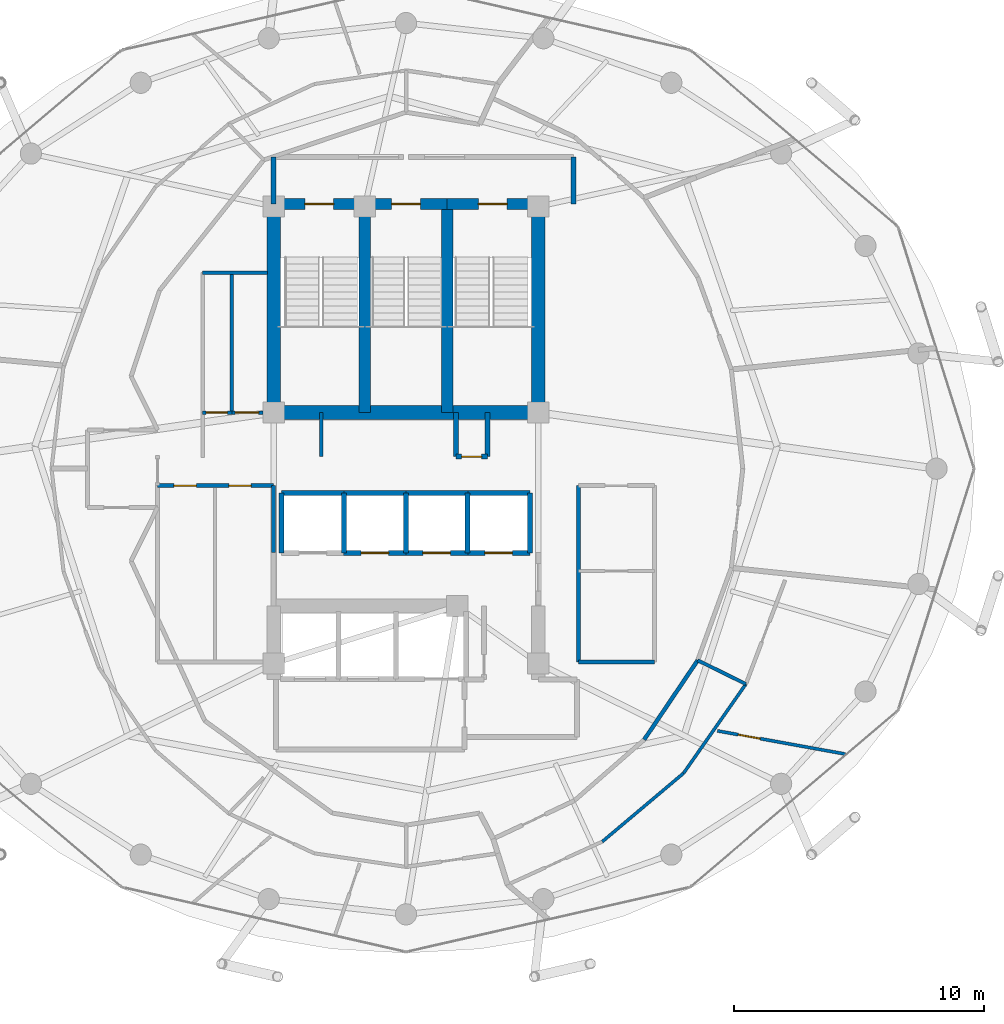
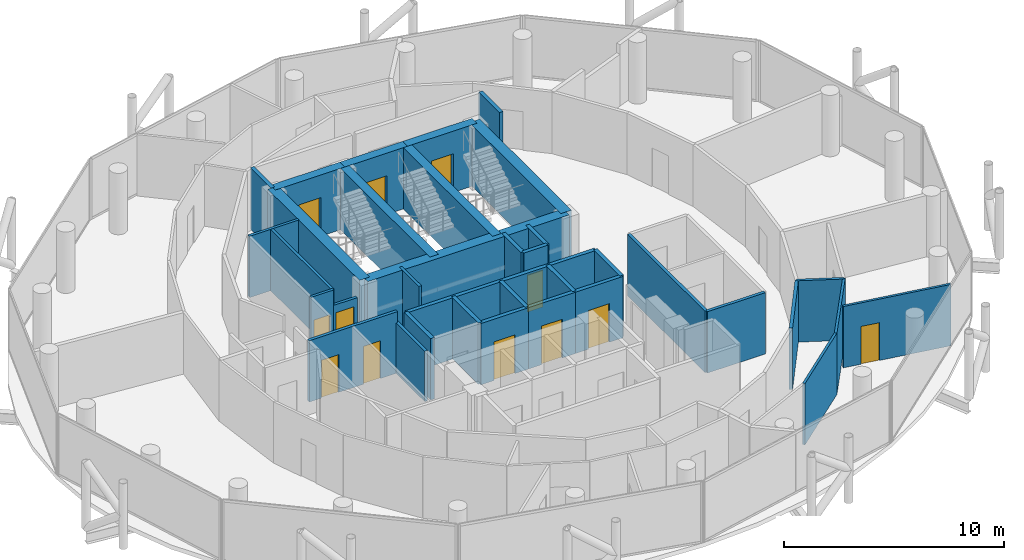
# One storey, part 24 of 27: 39 walls, 12 doors, 12 openings.
"""IFC4 building model written with IfcOpenShell, lengths in metres."""

from ifc_helpers import new_model, si_unit, direction, frame, frame_2d, origin, place, context, subcontext, project, spatial, rectangle, extrude, material, layer, layer_set, type_object, element, fill, save


model = new_model("IFC4")

# Units and contexts
model_context = context("Model", 3, precision=1e-05, world=origin(), true_north=direction((0.0, 1.0)))
body_context = subcontext(model_context, "Body", "Model", "MODEL_VIEW")
ifc_project = project(units=[si_unit("LENGTHUNIT", "METRE"), si_unit("AREAUNIT", "SQUARE_METRE"), si_unit("VOLUMEUNIT", "CUBIC_METRE"), si_unit("PLANEANGLEUNIT", "RADIAN"), si_unit("MASSUNIT", "GRAM", prefix="KILO")], contexts=[model_context])

# Site, building, storey
site_placement = place(None, origin())
site = spatial("IfcSite", under=ifc_project, at=site_placement, CompositionType="ELEMENT")
building_placement = place(site_placement, origin())
building = spatial("IfcBuilding", under=site, at=building_placement, Name="Nuhasar Tower", CompositionType="ELEMENT")
storey_placement = place(building_placement, frame((0.0, 0.0, 248.300048828125)))
storey = spatial("IfcBuildingStorey", under=building, at=storey_placement, Name="L61", CompositionType="ELEMENT", Elevation=248.300048828125)

# Wall, opening, door
ifc_material_1 = material(Name="Concrete C50/60", Category="concrete")
ifc_layer_1 = layer(ifc_material_1, 0.449951171875)
ifc_layer_set_1 = layer_set([ifc_layer_1], Name="Concrete C50/60")
wall_type_1 = type_object("IfcWallType", Name="WL-CORE-450", PredefinedType="SHEAR", material=ifc_layer_set_1)
wall_1_placement = place(storey_placement, frame((37.35009765625, 37.39990234375, 0.0), z_axis=(0.0, 0.0, 1.0), x_axis=(-1.0, 0.0, 0.0)))
wall_1 = element("IfcWall", 1, at=wall_1_placement, inside=storey, type_object=wall_type_1, Name="L61 Stairwell Shear Wall ST01-N", PredefinedType="SHEAR", context=body_context, shape_type="SweptSolid", body=[
    extrude(rectangle(XDim=3.650146484375, YDim=0.449951171875, at=frame_2d((1.8251953125, 0.0))), origin(), (0.0, 0.0, 1.0), 3.409912109375),
])
opening_1_placement = place(wall_1_placement, frame((1.25, 0.0, 0.0)))
opening_1 = element("IfcOpeningElement", 2, at=opening_1_placement, cuts=wall_1, Name="Opening DS-01", PredefinedType="OPENING", context=body_context, shape_type="SweptSolid", body=[
    extrude(rectangle(XDim=1.14990234375, YDim=2.14990234375, at=frame_2d((0.574951171875, 1.074951171875))), frame((0.0, 0.23486328125, 0.0), z_axis=(0.0, -1.0, 0.0), x_axis=(1.0, 0.0, 0.0)), (0.0, 0.0, 1.0), 0.469970703125),
])
ifc_material_2 = material(Name="Steel S355", Category="steel")
door_type_1 = type_object("IfcDoorType", Name="DR-STAIR-FD120-1150", OperationType="NOTDEFINED", PredefinedType="DOOR", material=ifc_material_2)
door_1_placement = place(opening_1_placement, origin())
door_1 = element("IfcDoor", 3, at=door_1_placement, inside=storey, type_object=door_type_1, Name="L61 Exit Stair ST-01 Door", OperationType="SINGLE_SWING_RIGHT", OverallHeight=2.14990234375, OverallWidth=1.14990234375, PredefinedType="DOOR", context=body_context, shape_type="SweptSolid", body=[
    extrude(rectangle(XDim=1.14990234375, YDim=2.14990234375, at=frame_2d((0.574951171875, 1.074951171875))), frame((0.0, 0.02490234375, 0.0), z_axis=(0.0, -1.0, 0.0), x_axis=(1.0, 0.0, 0.0)), (0.0, 0.0, 1.0), 0.050048828125),
])
fill(opening_1, door_1)

# Wall
wall_2_placement = place(storey_placement, frame((37.35009765625, 29.050048828125, 0.0), z_axis=(0.0, 0.0, 1.0), x_axis=(0.0, 1.0, 0.0)))
element("IfcWall", 4, at=wall_2_placement, inside=storey, type_object=wall_type_1, Name="L61 Stairwell Shear Wall ST01-E", PredefinedType="SHEAR", context=body_context, shape_type="SweptSolid", body=[
    extrude(rectangle(XDim=8.349853515625, YDim=0.449951171875, at=frame_2d((4.1748046875, 0.0))), origin(), (0.0, 0.0, 1.0), 3.409912109375),
])

# Wall, opening, door
wall_3_placement = place(storey_placement, frame((40.64990234375, 37.39990234375, 0.0), z_axis=(0.0, 0.0, 1.0), x_axis=(-1.0, 0.0, 0.0)))
wall_3 = element("IfcWall", 5, at=wall_3_placement, inside=storey, type_object=wall_type_1, Name="L61 Stairwell Shear Wall ST03-N", PredefinedType="SHEAR", context=body_context, shape_type="SweptSolid", body=[
    extrude(rectangle(XDim=3.2998046875, YDim=0.449951171875, at=frame_2d((1.64990234375, 0.0))), origin(), (0.0, 0.0, 1.0), 3.409912109375),
])
opening_2_placement = place(wall_3_placement, frame((1.074951171875, 0.0, 0.0)))
opening_2 = element("IfcOpeningElement", 6, at=opening_2_placement, cuts=wall_3, Name="Opening DS-01", PredefinedType="OPENING", context=body_context, shape_type="SweptSolid", body=[
    extrude(rectangle(XDim=1.14990234375, YDim=2.14990234375, at=frame_2d((0.574951171875, 1.074951171875))), frame((0.0, 0.23486328125, 0.0), z_axis=(0.0, -1.0, 0.0), x_axis=(1.0, 0.0, 0.0)), (0.0, 0.0, 1.0), 0.469970703125),
])
door_2_placement = place(opening_2_placement, origin())
door_2 = element("IfcDoor", 7, at=door_2_placement, inside=storey, type_object=door_type_1, Name="L61 Exit Stair ST-03 Door", OperationType="SINGLE_SWING_RIGHT", OverallHeight=2.14990234375, OverallWidth=1.14990234375, PredefinedType="DOOR", context=body_context, shape_type="SweptSolid", body=[
    extrude(rectangle(XDim=1.14990234375, YDim=2.14990234375, at=frame_2d((0.574951171875, 1.074951171875))), frame((0.0, 0.02490234375, 0.0), z_axis=(0.0, -1.0, 0.0), x_axis=(1.0, 0.0, 0.0)), (0.0, 0.0, 1.0), 0.050048828125),
])
fill(opening_2, door_2)

# Wall
wall_4_placement = place(storey_placement, frame((40.64990234375, 29.050048828125, 0.0), z_axis=(0.0, 0.0, 1.0), x_axis=(0.0, 1.0, 0.0)))
element("IfcWall", 8, at=wall_4_placement, inside=storey, type_object=wall_type_1, Name="L61 Stairwell Shear Wall ST03-E", PredefinedType="SHEAR", context=body_context, shape_type="SweptSolid", body=[
    extrude(rectangle(XDim=8.349853515625, YDim=0.449951171875, at=frame_2d((4.1748046875, 0.0))), origin(), (0.0, 0.0, 1.0), 3.409912109375),
])

# Wall, opening, door
wall_5_placement = place(storey_placement, frame((44.300048828125, 37.39990234375, 0.0), z_axis=(0.0, 0.0, 1.0), x_axis=(-1.0, 0.0, 0.0)))
wall_5 = element("IfcWall", 9, at=wall_5_placement, inside=storey, type_object=wall_type_1, Name="L61 Stairwell Shear Wall ST02-N", PredefinedType="SHEAR", context=body_context, shape_type="SweptSolid", body=[
    extrude(rectangle(XDim=3.650146484375, YDim=0.449951171875, at=frame_2d((1.8251953125, 0.0))), origin(), (0.0, 0.0, 1.0), 3.409912109375),
])
opening_3_placement = place(wall_5_placement, frame((1.25, 0.0, 0.0)))
opening_3 = element("IfcOpeningElement", 10, at=opening_3_placement, cuts=wall_5, Name="Opening DS-01", PredefinedType="OPENING", context=body_context, shape_type="SweptSolid", body=[
    extrude(rectangle(XDim=1.14990234375, YDim=2.14990234375, at=frame_2d((0.574951171875, 1.074951171875))), frame((0.0, 0.23486328125, 0.0), z_axis=(0.0, -1.0, 0.0), x_axis=(1.0, 0.0, 0.0)), (0.0, 0.0, 1.0), 0.469970703125),
])
door_3_placement = place(opening_3_placement, origin())
door_3 = element("IfcDoor", 11, at=door_3_placement, inside=storey, type_object=door_type_1, Name="L61 Exit Stair ST-02 Door", OperationType="SINGLE_SWING_LEFT", OverallHeight=2.14990234375, OverallWidth=1.14990234375, PredefinedType="DOOR", context=body_context, shape_type="SweptSolid", body=[
    extrude(rectangle(XDim=1.14990234375, YDim=2.14990234375, at=frame_2d((0.574951171875, 1.074951171875))), frame((0.0, 0.02490234375, 0.0), z_axis=(0.0, -1.0, 0.0), x_axis=(1.0, 0.0, 0.0)), (0.0, 0.0, 1.0), 0.050048828125),
])
fill(opening_3, door_3)

# Walls
ifc_material_3 = material(Name="Concrete C55/67", Category="concrete")
ifc_layer_2 = layer(ifc_material_3, 0.550048828125)
ifc_layer_set_2 = layer_set([ifc_layer_2], Name="Concrete C55/67")
wall_type_2 = type_object("IfcWallType", Name="WL-CORE-550", PredefinedType="SHEAR", material=ifc_layer_set_2)
for number, where, z_axis, x_axis, name in (
    (12, (33.699951171875, 29.050048828125, 0.0), (0.0, 0.0, 1.0), (0.0, 1.0, 0.0), "L61 Core Shear Wall CW-NW CW-550"),
    (13, (44.300048828125, 29.050048828125, 0.0), (0.0, 0.0, 1.0), (0.0, 1.0, 0.0), "L61 Core Shear Wall CW-NE CW-550"),
):
    element("IfcWall", number, at=place(storey_placement, frame(where, z_axis=z_axis, x_axis=x_axis)), inside=storey, type_object=wall_type_2, Name=name, PredefinedType="SHEAR", context=body_context, shape_type="SweptSolid", body=[
        extrude(rectangle(XDim=8.349853515625, YDim=0.550048828125, at=frame_2d((4.1748046875, 0.0))), origin(), (0.0, 0.0, 1.0), 3.409912109375),
    ])
wall_6_placement = place(storey_placement, frame((33.699951171875, 29.050048828125, 0.0), z_axis=(0.0, 0.0, 1.0), x_axis=(1.0, 0.0, 0.0)))
element("IfcWall", 14, at=wall_6_placement, inside=storey, type_object=wall_type_2, Name="L61 Core Shear Wall CW-N1 CW-550", PredefinedType="SHEAR", context=body_context, shape_type="SweptSolid", body=[
    extrude(rectangle(XDim=10.60009765625, YDim=0.550048828125, at=frame_2d((5.300048828125, 0.0))), origin(), (0.0, 0.0, 1.0), 3.409912109375),
])
ifc_material_4 = material(Name="Gypsum Board", Category="gypsum")
ifc_layer_3 = layer(ifc_material_4, 0.159912109375)
ifc_layer_set_3 = layer_set([ifc_layer_3], Name="Gypsum Board")
wall_type_3 = type_object("IfcWallType", Name="WL-CORR-160", PredefinedType="PARTITIONING", material=ifc_layer_set_3)
wall_7_placement = place(storey_placement, frame((33.699951171875, 23.449951171875, 0.0), z_axis=(0.0, 0.0, 1.0), x_axis=(0.0, 1.0, 0.0)))
element("IfcWall", 15, at=wall_7_placement, inside=storey, type_object=wall_type_3, Name="L61 Interior Partition RECL-B1-E", PredefinedType="PARTITIONING", context=body_context, shape_type="SweptSolid", body=[
    extrude(rectangle(XDim=2.670166015625, YDim=0.159912109375, at=frame_2d((1.3349609375, 0.0))), origin(), (0.0, 0.0, 1.0), 2.794921875),
])

# Wall, openings, doors
wall_8_placement = place(storey_placement, frame((33.699951171875, 26.1201171875, 0.0), z_axis=(0.0, 0.0, 1.0), x_axis=(-1.0, 0.0, 0.0)))
wall_8 = element("IfcWall", 16, at=wall_8_placement, inside=storey, type_object=wall_type_3, Name="L61 Interior Partition RECL-B1-N", PredefinedType="PARTITIONING", context=body_context, shape_type="SweptSolid", body=[
    extrude(rectangle(XDim=4.64990234375, YDim=0.159912109375, at=frame_2d((2.324951171875, 0.0))), origin(), (0.0, 0.0, 1.0), 3.409912109375),
])
opening_4_placement = place(wall_8_placement, frame((3.10009765625, 0.0, 0.0)))
opening_4 = element("IfcOpeningElement", 17, at=opening_4_placement, cuts=wall_8, Name="Opening DR-01", PredefinedType="OPENING", context=body_context, shape_type="SweptSolid", body=[
    extrude(rectangle(XDim=0.89990234375, YDim=2.10009765625, at=frame_2d((0.449951171875, 1.050048828125))), frame((0.0, 0.08984375, 0.0), z_axis=(0.0, -1.0, 0.0), x_axis=(1.0, 0.0, 0.0)), (0.0, 0.0, 1.0), 0.179931640625),
])
opening_5_placement = place(wall_8_placement, frame((0.89990234375, 0.0, 0.0)))
opening_5 = element("IfcOpeningElement", 18, at=opening_5_placement, cuts=wall_8, Name="Opening DR-01", PredefinedType="OPENING", context=body_context, shape_type="SweptSolid", body=[
    extrude(rectangle(XDim=0.89990234375, YDim=2.10009765625, at=frame_2d((0.449951171875, 1.050048828125))), frame((0.0, 0.08984375, 0.0), z_axis=(0.0, -1.0, 0.0), x_axis=(1.0, 0.0, 0.0)), (0.0, 0.0, 1.0), 0.179931640625),
])
ifc_material_5 = material(Name="Timber Oak", Category="wood")
door_type_2 = type_object("IfcDoorType", Name="DR-ROOM-900", OperationType="NOTDEFINED", PredefinedType="DOOR", material=ifc_material_5)
door_4_placement = place(opening_4_placement, origin())
door_4 = element("IfcDoor", 19, at=door_4_placement, inside=storey, type_object=door_type_2, Name="L61 Housekeeping Door", OperationType="SINGLE_SWING_RIGHT", OverallHeight=2.10009765625, OverallWidth=0.89990234375, PredefinedType="DOOR", context=body_context, shape_type="SweptSolid", body=[
    extrude(rectangle(XDim=0.89990234375, YDim=2.10009765625, at=frame_2d((0.449951171875, 1.050048828125))), frame((0.0, 0.02490234375, 0.0), z_axis=(0.0, -1.0, 0.0), x_axis=(1.0, 0.0, 0.0)), (0.0, 0.0, 1.0), 0.050048828125),
])
fill(opening_4, door_4)
door_5_placement = place(opening_5_placement, origin())
door_5 = element("IfcDoor", 20, at=door_5_placement, inside=storey, type_object=door_type_2, Name="L61 Valet Pantry Door", OperationType="SINGLE_SWING_LEFT", OverallHeight=2.10009765625, OverallWidth=0.89990234375, PredefinedType="DOOR", context=body_context, shape_type="SweptSolid", body=[
    extrude(rectangle(XDim=0.89990234375, YDim=2.10009765625, at=frame_2d((0.449951171875, 1.050048828125))), frame((0.0, 0.02490234375, 0.0), z_axis=(0.0, -1.0, 0.0), x_axis=(1.0, 0.0, 0.0)), (0.0, 0.0, 1.0), 0.050048828125),
])
fill(opening_5, door_5)

# Walls
wall_9_placement = place(storey_placement, frame((45.89990234375, 19.050048828125, 0.0), z_axis=(0.0, 0.0, 1.0), x_axis=(1.0, 0.0, 0.0)))
element("IfcWall", 21, at=wall_9_placement, inside=storey, type_object=wall_type_3, Name="L61 Interior Partition RECL-B2-S", PredefinedType="PARTITIONING", context=body_context, shape_type="SweptSolid", body=[
    extrude(rectangle(XDim=3.050048828125, YDim=0.159912109375, at=frame_2d((1.52490234375, 0.0))), origin(), (0.0, 0.0, 1.0), 3.409912109375),
])
wall_10_placement = place(storey_placement, frame((45.89990234375, 19.050048828125, 0.0), z_axis=(0.0, 0.0, 1.0), x_axis=(0.0, 1.0, 0.0)))
element("IfcWall", 22, at=wall_10_placement, inside=storey, type_object=wall_type_3, Name="L61 Interior Partition RECL-B2-W", PredefinedType="PARTITIONING", context=body_context, shape_type="SweptSolid", body=[
    extrude(rectangle(XDim=7.070068359375, YDim=0.159912109375, at=frame_2d((3.53515625, 0.0))), origin(), (0.0, 0.0, 1.0), 3.409912109375),
])
wall_11_placement = place(storey_placement, frame((48.5390625, 15.946044921875, 0.0), z_axis=(0.0, 0.0, 1.0), x_axis=(0.55915897058, 0.829060459568, 0.0)))
element("IfcWall", 23, at=wall_11_placement, inside=storey, type_object=wall_type_3, Name="L61 Interior Partition CORR-42", PredefinedType="PARTITIONING", context=body_context, shape_type="SweptSolid", body=[
    extrude(rectangle(XDim=3.83447265625, YDim=0.159912109375, at=frame_2d((1.917236328125, 0.0))), origin(), (0.0, 0.0, 1.0), 3.409912109375),
])
ifc_material_6 = material(Name="Concrete C45/55", Category="concrete")
ifc_layer_4 = layer(ifc_material_6, 0.199951171875)
ifc_layer_set_4 = layer_set([ifc_layer_4], Name="Concrete C45/55")
wall_type_4 = type_object("IfcWallType", Name="WL-LOBBY-200", PredefinedType="SOLIDWALL", material=ifc_layer_set_4)
for number, where, z_axis, x_axis, name in (
    (24, (33.699951171875, 37.39990234375, 0.0), (0.0, 0.0, 1.0), (0.0, 1.0, 0.0), "L61 Interior Partition NSL-W"),
    (25, (45.699951171875, 37.39990234375, 0.0), (0.0, 0.0, 1.0), (0.0, 1.0, 0.0), "L61 Interior Partition NSL-E"),
):
    element("IfcWall", number, at=place(storey_placement, frame(where, z_axis=z_axis, x_axis=x_axis)), inside=storey, type_object=wall_type_4, Name=name, PredefinedType="SOLIDWALL", context=body_context, shape_type="SweptSolid", body=[
        extrude(rectangle(XDim=1.880126953125, YDim=0.199951171875, at=frame_2d((0.93994140625, 0.0))), origin(), (0.0, 0.0, 1.0), 3.409912109375),
    ])
ifc_layer_5 = layer(ifc_material_4, 0.125)
ifc_layer_set_5 = layer_set([ifc_layer_5], Name="Gypsum Board")
wall_type_5 = type_object("IfcWallType", Name="WL-PART-125", PredefinedType="PARTITIONING", material=ifc_layer_set_5)
wall_12_placement = place(storey_placement, frame((46.860107421875, 11.861083984375, 0.0), z_axis=(0.0, 0.0, 1.0), x_axis=(0.765004906077, 0.644024451149, 0.0)))
element("IfcWall", 26, at=wall_12_placement, inside=storey, type_object=wall_type_5, Name="L61 Interior Partition UMID-01-A-40", PredefinedType="PARTITIONING", context=body_context, shape_type="SweptSolid", body=[
    extrude(rectangle(XDim=4.256103515625, YDim=0.125, at=frame_2d((2.1279296875, 0.0))), origin(), (0.0, 0.0, 1.0), 3.409912109375),
])
wall_13_placement = place(storey_placement, frame((50.115966796875, 14.60205078125, 0.0), z_axis=(0.0, 0.0, 1.0), x_axis=(0.572992451041, 0.819560645132, 0.0)))
element("IfcWall", 27, at=wall_13_placement, inside=storey, type_object=wall_type_5, Name="L61 Interior Partition UMID-01-A-42", PredefinedType="PARTITIONING", context=body_context, shape_type="SweptSolid", body=[
    extrude(rectangle(XDim=4.359619140625, YDim=0.125, at=frame_2d((2.1796875, 0.0))), origin(), (0.0, 0.0, 1.0), 3.409912109375),
])

# Wall, opening, door
wall_14_placement = place(storey_placement, frame((51.471923828125, 16.299072265625, 0.0), z_axis=(0.0, 0.0, 1.0), x_axis=(0.983950739816, -0.178440302665, 0.0)))
wall_14 = element("IfcWall", 28, at=wall_14_placement, inside=storey, type_object=wall_type_5, Name="L61 Interior Partition UOUT-01-B1", PredefinedType="PARTITIONING", context=body_context, shape_type="SweptSolid", body=[
    extrude(rectangle(XDim=5.212890625, YDim=0.125, at=frame_2d((2.6064453125, 0.0))), origin(), (0.0, 0.0, 1.0), 3.409912109375),
])
opening_6_placement = place(wall_14_placement, frame((0.85009765625, 0.0, 0.0)))
opening_6 = element("IfcOpeningElement", 29, at=opening_6_placement, cuts=wall_14, Name="Opening DR-01", PredefinedType="OPENING", context=body_context, shape_type="SweptSolid", body=[
    extrude(rectangle(XDim=0.89990234375, YDim=2.10009765625, at=frame_2d((0.449951171875, 1.050048828125))), frame((0.0, 0.072509765625, 0.0), z_axis=(0.0, -1.0, 0.0), x_axis=(1.0, 0.0, 0.0)), (0.0, 0.0, 1.0), 0.14501953125),
])
door_6_placement = place(opening_6_placement, origin())
door_6 = element("IfcDoor", 30, at=door_6_placement, inside=storey, type_object=door_type_2, Name="L61 U01 Bedroom Door", OperationType="SINGLE_SWING_LEFT", OverallHeight=2.10009765625, OverallWidth=0.89990234375, PredefinedType="DOOR", context=body_context, shape_type="SweptSolid", body=[
    extrude(rectangle(XDim=0.89990234375, YDim=2.10009765625, at=frame_2d((0.449951171875, 1.050048828125))), frame((0.0, 0.02490234375, 0.0), z_axis=(0.0, -1.0, 0.0), x_axis=(1.0, 0.0, 0.0)), (0.0, 0.0, 1.0), 0.050048828125),
])
fill(opening_6, door_6)

# Walls
ifc_layer_6 = layer(ifc_material_6, 0.199951171875)
ifc_layer_set_6 = layer_set([ifc_layer_6], Name="Concrete C45/55")
wall_type_6 = type_object("IfcWallType", Name="WL-SHAFT-200", PredefinedType="SOLIDWALL", material=ifc_layer_set_6)
for number, where, z_axis, x_axis, name in (
    (31, (41.0, 27.280029296875, 0.0), (0.0, 0.0, 1.0), (0.0, 1.0, 0.0), "L61 Interior Partition RSRN-W"),
    (32, (42.260009765625, 27.280029296875, 0.0), (0.0, 0.0, 1.0), (0.0, 1.0, 0.0), "L61 Interior Partition RSRN-E"),
):
    element("IfcWall", number, at=place(storey_placement, frame(where, z_axis=z_axis, x_axis=x_axis)), inside=storey, type_object=wall_type_6, Name=name, PredefinedType="SOLIDWALL", context=body_context, shape_type="SweptSolid", body=[
        extrude(rectangle(XDim=1.77001953125, YDim=0.199951171875, at=frame_2d((0.885009765625, 0.0))), origin(), (0.0, 0.0, 1.0), 3.409912109375),
    ])

# Wall, opening, door
wall_15_placement = place(storey_placement, frame((41.0, 27.280029296875, 0.0), z_axis=(0.0, 0.0, 1.0), x_axis=(1.0, 0.0, 0.0)))
wall_15 = element("IfcWall", 33, at=wall_15_placement, inside=storey, type_object=wall_type_6, Name="L61 Interior Partition RSRN-S", PredefinedType="SOLIDWALL", context=body_context, shape_type="SweptSolid", body=[
    extrude(rectangle(XDim=1.260009765625, YDim=0.199951171875, at=frame_2d((0.6298828125, 0.0))), origin(), (0.0, 0.0, 1.0), 3.409912109375),
])
opening_7_placement = place(wall_15_placement, frame((0.22998046875, 0.0, 0.0)))
opening_7 = element("IfcOpeningElement", 34, at=opening_7_placement, cuts=wall_15, Name="Opening DM-01", PredefinedType="OPENING", context=body_context, shape_type="SweptSolid", body=[
    extrude(rectangle(XDim=0.800048828125, YDim=2.050048828125, at=frame_2d((0.39990234375, 1.02490234375))), frame((0.0, 0.10986328125, 0.0), z_axis=(0.0, -1.0, 0.0), x_axis=(1.0, 0.0, 0.0)), (0.0, 0.0, 1.0), 0.219970703125),
])
door_type_3 = type_object("IfcDoorType", Name="DR-RISER-FD60-800", OperationType="NOTDEFINED", PredefinedType="DOOR", material=ifc_material_2)
door_7_placement = place(opening_7_placement, origin())
door_7 = element("IfcDoor", 35, at=door_7_placement, inside=storey, type_object=door_type_3, Name="L61 North Smoke Riser Door", OperationType="SINGLE_SWING_RIGHT", OverallHeight=2.050048828125, OverallWidth=0.800048828125, PredefinedType="DOOR", context=body_context, shape_type="SweptSolid", body=[
    extrude(rectangle(XDim=0.800048828125, YDim=2.050048828125, at=frame_2d((0.39990234375, 1.02490234375))), frame((0.0, 0.02490234375, 0.0), z_axis=(0.0, -1.0, 0.0), x_axis=(1.0, 0.0, 0.0)), (0.0, 0.0, 1.0), 0.050048828125),
])
fill(opening_7, door_7)

# Walls
wall_16_placement = place(storey_placement, frame((34.02001953125, 25.830078125, 0.0), z_axis=(0.0, 0.0, 1.0), x_axis=(1.0, 0.0, 0.0)))
element("IfcWall", 36, at=wall_16_placement, inside=storey, type_object=wall_type_6, Name="L61 Interior Partition SHF-PL-H01-N", PredefinedType="SOLIDWALL", context=body_context, shape_type="SweptSolid", body=[
    extrude(rectangle(XDim=2.5, YDim=0.199951171875, at=frame_2d((1.25, 0.0))), origin(), (0.0, 0.0, 1.0), 3.409912109375),
])
for number, where, z_axis, x_axis, name in (
    (37, (34.02001953125, 23.419921875, 0.0), (0.0, 0.0, 1.0), (0.0, 1.0, 0.0), "L61 Interior Partition SHF-PL-H01-W"),
    (38, (36.510009765625, 23.419921875, 0.0), (0.0, 0.0, 1.0), (0.0, 1.0, 0.0), "L61 Interior Partition SHF-PL-H01-E"),
):
    element("IfcWall", number, at=place(storey_placement, frame(where, z_axis=z_axis, x_axis=x_axis)), inside=storey, type_object=wall_type_6, Name=name, PredefinedType="SOLIDWALL", context=body_context, shape_type="SweptSolid", body=[
        extrude(rectangle(XDim=2.41015625, YDim=0.199951171875, at=frame_2d((1.205078125, 0.0))), origin(), (0.0, 0.0, 1.0), 3.409912109375),
    ])

# Wall, opening, door
wall_17_placement = place(storey_placement, frame((36.5, 23.419921875, 0.0), z_axis=(0.0, 0.0, 1.0), x_axis=(1.0, 0.0, 0.0)))
wall_17 = element("IfcWall", 39, at=wall_17_placement, inside=storey, type_object=wall_type_6, Name="L61 Interior Partition SHF-PL-H02-S", PredefinedType="SOLIDWALL", context=body_context, shape_type="SweptSolid", body=[
    extrude(rectangle(XDim=2.5, YDim=0.199951171875, at=frame_2d((1.25, 0.0))), origin(), (0.0, 0.0, 1.0), 3.409912109375),
])
opening_8_placement = place(wall_17_placement, frame((0.699951171875, 0.0, 0.0)))
opening_8 = element("IfcOpeningElement", 40, at=opening_8_placement, cuts=wall_17, Name="Opening LD-H02", PredefinedType="OPENING", context=body_context, shape_type="SweptSolid", body=[
    extrude(rectangle(XDim=1.10009765625, YDim=2.14990234375, at=frame_2d((0.550048828125, 1.074951171875))), frame((0.0, 0.10986328125, 0.0), z_axis=(0.0, -1.0, 0.0), x_axis=(1.0, 0.0, 0.0)), (0.0, 0.0, 1.0), 0.219970703125),
])
ifc_material_7 = material(Name="Stainless Steel 316L", Category="steel")
door_type_4 = type_object("IfcDoorType", Name="LD-PAX-1100", OperationType="DOUBLE_DOOR_SLIDING", PredefinedType="DOOR", material=ifc_material_7)
door_8_placement = place(opening_8_placement, origin())
door_8 = element("IfcDoor", 41, at=door_8_placement, inside=storey, type_object=door_type_4, Name="L61 Lift Landing Door PL-H02", OperationType="DOUBLE_DOOR_SLIDING", OverallHeight=2.14990234375, OverallWidth=1.10009765625, PredefinedType="DOOR", context=body_context, shape_type="SweptSolid", body=[
    extrude(rectangle(XDim=1.10009765625, YDim=2.14990234375, at=frame_2d((0.550048828125, 1.074951171875))), frame((0.0, 0.02490234375, 0.0), z_axis=(0.0, -1.0, 0.0), x_axis=(1.0, 0.0, 0.0)), (0.0, 0.0, 1.0), 0.050048828125),
])
fill(opening_8, door_8)

# Walls
wall_18_placement = place(storey_placement, frame((36.5, 25.830078125, 0.0), z_axis=(0.0, 0.0, 1.0), x_axis=(1.0, 0.0, 0.0)))
element("IfcWall", 42, at=wall_18_placement, inside=storey, type_object=wall_type_6, Name="L61 Interior Partition SHF-PL-H02-N", PredefinedType="SOLIDWALL", context=body_context, shape_type="SweptSolid", body=[
    extrude(rectangle(XDim=2.5, YDim=0.199951171875, at=frame_2d((1.25, 0.0))), origin(), (0.0, 0.0, 1.0), 3.409912109375),
])
wall_19_placement = place(storey_placement, frame((38.989990234375, 23.419921875, 0.0), z_axis=(0.0, 0.0, 1.0), x_axis=(0.0, 1.0, 0.0)))
element("IfcWall", 43, at=wall_19_placement, inside=storey, type_object=wall_type_6, Name="L61 Interior Partition SHF-PL-H02-E", PredefinedType="SOLIDWALL", context=body_context, shape_type="SweptSolid", body=[
    extrude(rectangle(XDim=2.41015625, YDim=0.199951171875, at=frame_2d((1.205078125, 0.0))), origin(), (0.0, 0.0, 1.0), 3.409912109375),
])

# Wall, opening, door
wall_20_placement = place(storey_placement, frame((38.97998046875, 23.419921875, 0.0), z_axis=(0.0, 0.0, 1.0), x_axis=(1.0, 0.0, 0.0)))
wall_20 = element("IfcWall", 44, at=wall_20_placement, inside=storey, type_object=wall_type_6, Name="L61 Interior Partition SHF-PL-H03-S", PredefinedType="SOLIDWALL", context=body_context, shape_type="SweptSolid", body=[
    extrude(rectangle(XDim=2.5, YDim=0.199951171875, at=frame_2d((1.25, 0.0))), origin(), (0.0, 0.0, 1.0), 3.409912109375),
])
opening_9_placement = place(wall_20_placement, frame((0.699951171875, 0.0, 0.0)))
opening_9 = element("IfcOpeningElement", 45, at=opening_9_placement, cuts=wall_20, Name="Opening LD-H03", PredefinedType="OPENING", context=body_context, shape_type="SweptSolid", body=[
    extrude(rectangle(XDim=1.10009765625, YDim=2.14990234375, at=frame_2d((0.550048828125, 1.074951171875))), frame((0.0, 0.10986328125, 0.0), z_axis=(0.0, -1.0, 0.0), x_axis=(1.0, 0.0, 0.0)), (0.0, 0.0, 1.0), 0.219970703125),
])
door_9_placement = place(opening_9_placement, origin())
door_9 = element("IfcDoor", 46, at=door_9_placement, inside=storey, type_object=door_type_4, Name="L61 Lift Landing Door PL-H03", OperationType="DOUBLE_DOOR_SLIDING", OverallHeight=2.14990234375, OverallWidth=1.10009765625, PredefinedType="DOOR", context=body_context, shape_type="SweptSolid", body=[
    extrude(rectangle(XDim=1.10009765625, YDim=2.14990234375, at=frame_2d((0.550048828125, 1.074951171875))), frame((0.0, 0.02490234375, 0.0), z_axis=(0.0, -1.0, 0.0), x_axis=(1.0, 0.0, 0.0)), (0.0, 0.0, 1.0), 0.050048828125),
])
fill(opening_9, door_9)

# Walls
wall_21_placement = place(storey_placement, frame((38.97998046875, 25.830078125, 0.0), z_axis=(0.0, 0.0, 1.0), x_axis=(1.0, 0.0, 0.0)))
element("IfcWall", 47, at=wall_21_placement, inside=storey, type_object=wall_type_6, Name="L61 Interior Partition SHF-PL-H03-N", PredefinedType="SOLIDWALL", context=body_context, shape_type="SweptSolid", body=[
    extrude(rectangle(XDim=2.5, YDim=0.199951171875, at=frame_2d((1.25, 0.0))), origin(), (0.0, 0.0, 1.0), 3.409912109375),
])
wall_22_placement = place(storey_placement, frame((41.469970703125, 23.419921875, 0.0), z_axis=(0.0, 0.0, 1.0), x_axis=(0.0, 1.0, 0.0)))
element("IfcWall", 48, at=wall_22_placement, inside=storey, type_object=wall_type_6, Name="L61 Interior Partition SHF-PL-H03-E", PredefinedType="SOLIDWALL", context=body_context, shape_type="SweptSolid", body=[
    extrude(rectangle(XDim=2.41015625, YDim=0.199951171875, at=frame_2d((1.205078125, 0.0))), origin(), (0.0, 0.0, 1.0), 3.409912109375),
])

# Wall, opening, door
wall_23_placement = place(storey_placement, frame((41.4599609375, 23.419921875, 0.0), z_axis=(0.0, 0.0, 1.0), x_axis=(1.0, 0.0, 0.0)))
wall_23 = element("IfcWall", 49, at=wall_23_placement, inside=storey, type_object=wall_type_6, Name="L61 Interior Partition SHF-PL-H04-S", PredefinedType="SOLIDWALL", context=body_context, shape_type="SweptSolid", body=[
    extrude(rectangle(XDim=2.5, YDim=0.199951171875, at=frame_2d((1.25, 0.0))), origin(), (0.0, 0.0, 1.0), 3.409912109375),
])
opening_10_placement = place(wall_23_placement, frame((0.699951171875, 0.0, 0.0)))
opening_10 = element("IfcOpeningElement", 50, at=opening_10_placement, cuts=wall_23, Name="Opening LD-H04", PredefinedType="OPENING", context=body_context, shape_type="SweptSolid", body=[
    extrude(rectangle(XDim=1.10009765625, YDim=2.14990234375, at=frame_2d((0.550048828125, 1.074951171875))), frame((0.0, 0.10986328125, 0.0), z_axis=(0.0, -1.0, 0.0), x_axis=(1.0, 0.0, 0.0)), (0.0, 0.0, 1.0), 0.219970703125),
])
door_10_placement = place(opening_10_placement, origin())
door_10 = element("IfcDoor", 51, at=door_10_placement, inside=storey, type_object=door_type_4, Name="L61 Lift Landing Door PL-H04", OperationType="DOUBLE_DOOR_SLIDING", OverallHeight=2.14990234375, OverallWidth=1.10009765625, PredefinedType="DOOR", context=body_context, shape_type="SweptSolid", body=[
    extrude(rectangle(XDim=1.10009765625, YDim=2.14990234375, at=frame_2d((0.550048828125, 1.074951171875))), frame((0.0, 0.02490234375, 0.0), z_axis=(0.0, -1.0, 0.0), x_axis=(1.0, 0.0, 0.0)), (0.0, 0.0, 1.0), 0.050048828125),
])
fill(opening_10, door_10)

# Walls
wall_24_placement = place(storey_placement, frame((41.4599609375, 25.830078125, 0.0), z_axis=(0.0, 0.0, 1.0), x_axis=(1.0, 0.0, 0.0)))
element("IfcWall", 52, at=wall_24_placement, inside=storey, type_object=wall_type_6, Name="L61 Interior Partition SHF-PL-H04-N", PredefinedType="SOLIDWALL", context=body_context, shape_type="SweptSolid", body=[
    extrude(rectangle(XDim=2.5, YDim=0.199951171875, at=frame_2d((1.25, 0.0))), origin(), (0.0, 0.0, 1.0), 3.409912109375),
])
wall_25_placement = place(storey_placement, frame((43.9599609375, 23.419921875, 0.0), z_axis=(0.0, 0.0, 1.0), x_axis=(0.0, 1.0, 0.0)))
element("IfcWall", 53, at=wall_25_placement, inside=storey, type_object=wall_type_6, Name="L61 Interior Partition SHF-PL-H04-E", PredefinedType="SOLIDWALL", context=body_context, shape_type="SweptSolid", body=[
    extrude(rectangle(XDim=2.41015625, YDim=0.199951171875, at=frame_2d((1.205078125, 0.0))), origin(), (0.0, 0.0, 1.0), 3.409912109375),
])
ifc_material_8 = material(Name="Concrete C40/50 precast", Category="concrete")
ifc_layer_7 = layer(ifc_material_8, 0.139892578125)
ifc_layer_set_7 = layer_set([ifc_layer_7], Name="Concrete C40/50 precast")
wall_type_7 = type_object("IfcWallType", Name="WL-WET-140", PredefinedType="PARTITIONING", material=ifc_layer_set_7)
wall_26_placement = place(storey_placement, frame((35.60009765625, 27.280029296875, 0.0), z_axis=(0.0, 0.0, 1.0), x_axis=(0.0, 1.0, 0.0)))
element("IfcWall", 54, at=wall_26_placement, inside=storey, type_object=wall_type_7, Name="L61 Interior Partition CSVC-W", PredefinedType="PARTITIONING", context=body_context, shape_type="SweptSolid", body=[
    extrude(rectangle(XDim=1.77001953125, YDim=0.139892578125, at=frame_2d((0.885009765625, 0.0))), origin(), (0.0, 0.0, 1.0), 3.409912109375),
])

# Wall, opening, door
wall_27_placement = place(storey_placement, frame((30.85009765625, 29.050048828125, 0.0), z_axis=(0.0, 0.0, 1.0), x_axis=(1.0, 0.0, 0.0)))
wall_27 = element("IfcWall", 55, at=wall_27_placement, inside=storey, type_object=wall_type_7, Name="L61 Interior Partition K2-NW-S", PredefinedType="PARTITIONING", context=body_context, shape_type="SweptSolid", body=[
    extrude(rectangle(XDim=1.179931640625, YDim=0.139892578125, at=frame_2d((0.58984375, 0.0))), origin(), (0.0, 0.0, 1.0), 3.409912109375),
])
opening_11_placement = place(wall_27_placement, frame((0.139892578125, 0.0, 0.0)))
opening_11 = element("IfcOpeningElement", 56, at=opening_11_placement, cuts=wall_27, Name="Opening DB-01", PredefinedType="OPENING", context=body_context, shape_type="SweptSolid", body=[
    extrude(rectangle(XDim=0.85009765625, YDim=2.10009765625, at=frame_2d((0.425048828125, 1.050048828125))), frame((0.0, 0.080078125, 0.0), z_axis=(0.0, -1.0, 0.0), x_axis=(1.0, 0.0, 0.0)), (0.0, 0.0, 1.0), 0.159912109375),
])
door_type_5 = type_object("IfcDoorType", Name="DR-BATH-850", OperationType="NOTDEFINED", PredefinedType="DOOR", material=ifc_material_5)
door_11_placement = place(opening_11_placement, origin())
door_11 = element("IfcDoor", 57, at=door_11_placement, inside=storey, type_object=door_type_5, Name="L61 NW Female WC Door", OperationType="SINGLE_SWING_LEFT", OverallHeight=2.10009765625, OverallWidth=0.85009765625, PredefinedType="DOOR", context=body_context, shape_type="SweptSolid", body=[
    extrude(rectangle(XDim=0.85009765625, YDim=2.10009765625, at=frame_2d((0.425048828125, 1.050048828125))), frame((0.0, 0.02490234375, 0.0), z_axis=(0.0, -1.0, 0.0), x_axis=(1.0, 0.0, 0.0)), (0.0, 0.0, 1.0), 0.050048828125),
])
fill(opening_11, door_11)

wall_28_placement = place(storey_placement, frame((32.030029296875, 29.050048828125, 0.0), z_axis=(0.0, 0.0, 1.0), x_axis=(1.0, 0.0, 0.0)))
wall_28 = element("IfcWall", 58, at=wall_28_placement, inside=storey, type_object=wall_type_7, Name="L61 Interior Partition K2-NW-S", PredefinedType="PARTITIONING", context=body_context, shape_type="SweptSolid", body=[
    extrude(rectangle(XDim=1.25, YDim=0.139892578125, at=frame_2d((0.625, 0.0))), origin(), (0.0, 0.0, 1.0), 2.550048828125),
])
opening_12_placement = place(wall_28_placement, frame((0.1201171875, 0.0, 0.0)))
opening_12 = element("IfcOpeningElement", 59, at=opening_12_placement, cuts=wall_28, Name="Opening DA-01", PredefinedType="OPENING", context=body_context, shape_type="SweptSolid", body=[
    extrude(rectangle(XDim=0.949951171875, YDim=2.10009765625, at=frame_2d((0.47509765625, 1.050048828125))), frame((0.0, 0.080078125, 0.0), z_axis=(0.0, -1.0, 0.0), x_axis=(1.0, 0.0, 0.0)), (0.0, 0.0, 1.0), 0.159912109375),
])
door_type_6 = type_object("IfcDoorType", Name="DR-ACCWC-950", OperationType="NOTDEFINED", PredefinedType="DOOR", material=ifc_material_5)
door_12_placement = place(opening_12_placement, origin())
door_12 = element("IfcDoor", 60, at=door_12_placement, inside=storey, type_object=door_type_6, Name="L61 NW Accessible WC Door", OperationType="SINGLE_SWING_RIGHT", OverallHeight=2.10009765625, OverallWidth=0.949951171875, PredefinedType="DOOR", context=body_context, shape_type="SweptSolid", body=[
    extrude(rectangle(XDim=0.949951171875, YDim=2.10009765625, at=frame_2d((0.47509765625, 1.050048828125))), frame((0.0, 0.02490234375, 0.0), z_axis=(0.0, -1.0, 0.0), x_axis=(1.0, 0.0, 0.0)), (0.0, 0.0, 1.0), 0.050048828125),
])
fill(opening_12, door_12)

# Walls
wall_29_placement = place(storey_placement, frame((32.02001953125, 29.050048828125, 0.0), z_axis=(0.0, 0.0, 1.0), x_axis=(0.0, 1.0, 0.0)))
element("IfcWall", 61, at=wall_29_placement, inside=storey, type_object=wall_type_7, Name="L61 Interior Partition K2-NW-V", PredefinedType="PARTITIONING", context=body_context, shape_type="SweptSolid", body=[
    extrude(rectangle(XDim=5.599853515625, YDim=0.139892578125, at=frame_2d((2.7998046875, 0.0))), origin(), (0.0, 0.0, 1.0), 3.409912109375),
])
wall_30_placement = place(storey_placement, frame((30.85009765625, 34.64990234375, 0.0), z_axis=(0.0, 0.0, 1.0), x_axis=(1.0, 0.0, 0.0)))
element("IfcWall", 62, at=wall_30_placement, inside=storey, type_object=wall_type_7, Name="L61 Interior Partition K2-NW-N", PredefinedType="PARTITIONING", context=body_context, shape_type="SweptSolid", body=[
    extrude(rectangle(XDim=2.599853515625, YDim=0.139892578125, at=frame_2d((1.2998046875, 0.0))), origin(), (0.0, 0.0, 1.0), 3.409912109375),
])
wall_31_placement = place(storey_placement, frame((50.68310546875, 19.125, 0.0), z_axis=(0.0, 0.0, 1.0), x_axis=(0.897290298134, -0.441440959671, 0.0)))
element("IfcWall", 63, at=wall_31_placement, inside=storey, type_object=wall_type_7, Name="L61 Interior Partition UIN-01-K", PredefinedType="PARTITIONING", context=body_context, shape_type="SweptSolid", body=[
    extrude(rectangle(XDim=2.15185546875, YDim=0.139892578125, at=frame_2d((1.075927734375, 0.0))), origin(), (0.0, 0.0, 1.0), 3.409912109375),
])

save(model, "model.ifc")
